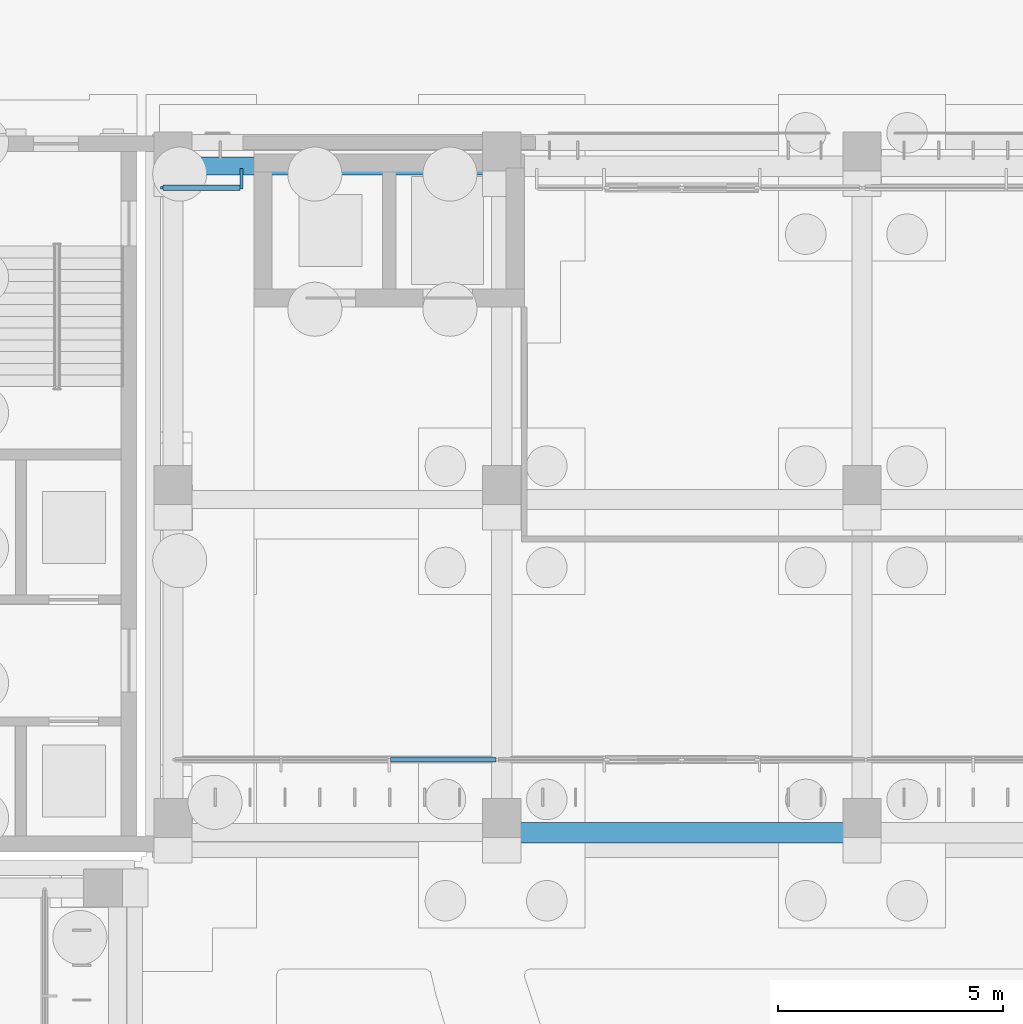
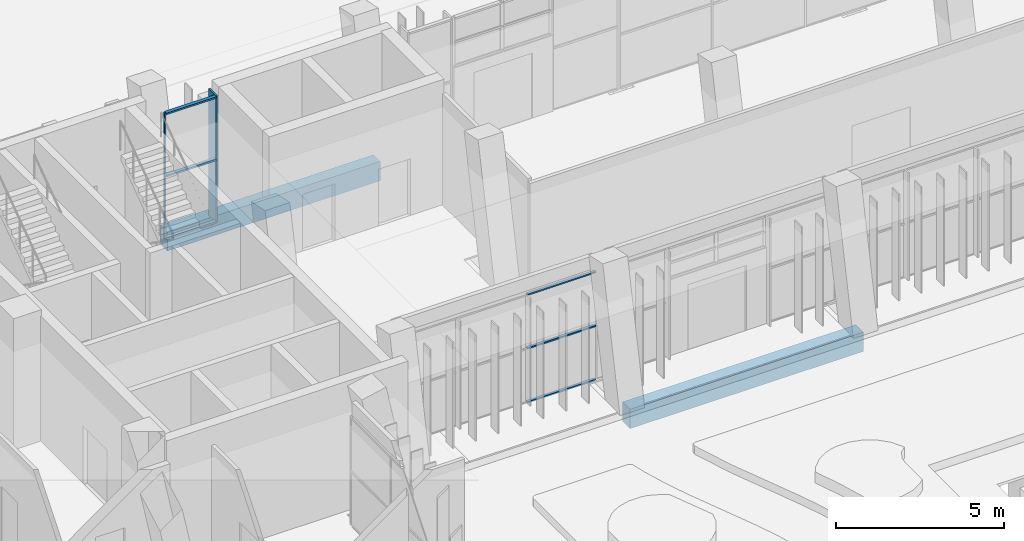
# One storey, part 61 of 144: 8 members, 2 beams, 2 elements without a shape of their own.
"""IFC4 building model written with IfcOpenShell, lengths in metres."""

import ifcopenshell
import ifcopenshell.guid

model = None  # the IFC model being written
_history = None  # IfcOwnerHistory: only IFC2X3 demands one
_inside = {}  # id of a spatial element -> (the spatial element, [elements in it])
_under = {}  # id of a project, library or spatial element -> (it, [spatial elements below it])
_declared = {}  # id of a project -> (the project, [libraries it declares])
_typed = {}  # id of a type object -> (the type object, [elements of that type])
_made_of = {}  # id of a material, layer set ... -> (it, [elements and type objects made of it])


def new_model(schema):
    """Start an empty IFC model of exactly this schema.

    Asked for "IFC4X3", IfcOpenShell would pick the latest addendum, in which some entities
    have other attributes; the version numbers below select the first issue.
    IFC2X3 requires an IfcOwnerHistory on every rooted entity: one is made here for all.
    """
    global model, _history
    if schema == "IFC4X3":
        model = ifcopenshell.file(schema_version=(4, 3, 0, 0))
    else:
        model = ifcopenshell.file(schema=schema)
    _inside.clear()
    _under.clear()
    _declared.clear()
    _typed.clear()
    _made_of.clear()
    _history = None
    if model.schema == "IFC2X3":
        org = make("IfcOrganization", Name="unknown")
        user = make(
            "IfcPersonAndOrganization",
            ThePerson=make("IfcPerson", FamilyName="unknown"),
            TheOrganization=org,
        )
        app = make(
            "IfcApplication",
            ApplicationDeveloper=org,
            Version="unknown",
            ApplicationFullName="unknown",
            ApplicationIdentifier="unknown",
        )
        _history = make(
            "IfcOwnerHistory",
            OwningUser=user,
            OwningApplication=app,
            ChangeAction="ADDED",
            CreationDate=0,
        )
    return model


def make(cls, **values):
    """One entity of the class cls with the attributes given. An attribute that is None is left unset."""
    return model.create_entity(
        cls, **{name: value for name, value in values.items() if value is not None}
    )


def rooted(cls, **values):
    """An entity with a GlobalId (a new one), such as an element, a storey or a relation."""
    return make(cls, GlobalId=ifcopenshell.guid.new(), OwnerHistory=_history, **values)


def si_unit(unit_type, name, prefix=None):
    """IfcSIUnit, for example si_unit("LENGTHUNIT", "METRE", prefix="MILLI")."""
    return make("IfcSIUnit", UnitType=unit_type, Prefix=prefix, Name=name)


def assignment(units):
    """IfcUnitAssignment: the units of a project."""
    return None if units is None else make("IfcUnitAssignment", Units=units)


def point(xyz):
    """IfcCartesianPoint."""
    return None if xyz is None else make("IfcCartesianPoint", Coordinates=xyz)


def direction(xyz):
    """IfcDirection."""
    return None if xyz is None else make("IfcDirection", DirectionRatios=xyz)


def frame(location, z_axis=None, x_axis=None):
    """IfcAxis2Placement3D, a coordinate frame: its origin and axes. An axis left out is left unset."""
    return make(
        "IfcAxis2Placement3D",
        Location=point(location),
        Axis=direction(z_axis),
        RefDirection=direction(x_axis),
    )


def frame_2d(location, x_axis=None):
    """IfcAxis2Placement2D, a coordinate frame in the plane: its origin and x axis."""
    return make(
        "IfcAxis2Placement2D", Location=point(location), RefDirection=direction(x_axis)
    )


def origin():
    """The frame at (0, 0, 0) with its axes left unset."""
    return frame((0.0, 0.0, 0.0))


def origin_2d():
    """The frame at (0, 0) in the plane with its x axis left unset."""
    return frame_2d((0.0, 0.0))


def place(relative_to, where):
    """IfcLocalPlacement: puts the frame where relative to a parent placement (None: the world)."""
    return make(
        "IfcLocalPlacement", PlacementRelTo=relative_to, RelativePlacement=where
    )


def context(
    kind, dimensions, precision=None, world=None, true_north=None, identifier=None
):
    """IfcGeometricRepresentationContext, for example the 3D "Model" context."""
    return make(
        "IfcGeometricRepresentationContext",
        ContextIdentifier=identifier,
        ContextType=kind,
        CoordinateSpaceDimension=dimensions,
        Precision=precision,
        WorldCoordinateSystem=world,
        TrueNorth=true_north,
    )


def subcontext(parent, identifier, kind, view, scale=None):
    """IfcGeometricRepresentationSubContext, for example "Body" below "Model"."""
    return make(
        "IfcGeometricRepresentationSubContext",
        ContextIdentifier=identifier,
        ContextType=kind,
        ParentContext=parent,
        TargetScale=scale,
        TargetView=view,
    )


def project(units=None, contexts=None):
    """IfcProject with its units and contexts."""
    return rooted(
        "IfcProject",
        Name="project",
        RepresentationContexts=contexts,
        UnitsInContext=assignment(units),
    )


def spatial(cls, under=None, at=None, **own):
    """A site, building, storey or space (cls), placed at a placement, below another one or the project."""
    s = rooted(cls, ObjectPlacement=at, **own)
    if under is not None:
        _under.setdefault(under.id(), (under, []))[1].append(s)
    return s


def profile(cls, at=None, kind="AREA", **sizes):
    """A parametric profile (cls). Its sizes go by their IFC names, for example OverallWidth=200.0."""
    return make(cls, ProfileType=kind, Position=at, **sizes)


def rectangle(**sizes):
    """IfcRectangleProfileDef."""
    return profile("IfcRectangleProfileDef", **sizes)


def extrude(swept, where, along, depth):
    """IfcExtrudedAreaSolid: the profile swept, set in the frame where, extruded along a direction by depth."""
    return make(
        "IfcExtrudedAreaSolid",
        SweptArea=swept,
        Position=where,
        ExtrudedDirection=direction(along),
        Depth=depth,
    )


def shape(context_of_items, identifier, shape_type, items):
    """IfcShapeRepresentation: the items that make up one representation, for example the "Body"."""
    return make(
        "IfcShapeRepresentation",
        ContextOfItems=context_of_items,
        RepresentationIdentifier=identifier,
        RepresentationType=shape_type,
        Items=items,
    )


def material(Name=None, Category=None):
    """IfcMaterial."""
    return make("IfcMaterial", Name=Name, Category=Category)


def material_profile(
    of_material, cross_section, Name=None, Category=None, Priority=None
):
    """IfcMaterialProfile: a cross section and its material."""
    return make(
        "IfcMaterialProfile",
        Name=Name,
        Material=of_material,
        Profile=cross_section,
        Priority=Priority,
        Category=Category,
    )


def profile_set(profiles, Name=None, composite=None):
    """IfcMaterialProfileSet."""
    return make(
        "IfcMaterialProfileSet",
        Name=Name,
        MaterialProfiles=profiles,
        CompositeProfile=composite,
    )


def made_of(thing, what):
    """Note that an element or type object is made of a material, layer set ...; save() writes the relation."""
    if what is not None:
        _made_of.setdefault(what.id(), (what, []))[1].append(thing)
    return thing


def type_object(cls, material=None, **own):
    """A type object (cls), such as IfcWallType, which elements share."""
    return made_of(rooted(cls, **own), material)


def element(
    cls,
    number,
    at=None,
    inside=None,
    cuts=None,
    type_object=None,
    material=None,
    context=None,
    identifier="Body",
    shape_type=None,
    held_by="IfcProductDefinitionShape",
    body=None,
    shapes=None,
    **own,
):
    """One element of the class cls, such as IfcWall. Its Tag is "e" and its number.

    at: its placement. inside: the storey or other place that contains it. cuts: it is an
    opening in that element (IfcRelVoidsElement). A single representation is given by context,
    identifier, shape_type and body (its items); several are given by shapes. held_by: the class
    of the entity that holds the representations. save() writes the other relations.
    """
    e = rooted(cls, Tag="e%d" % number, ObjectPlacement=at, **own)
    if body is not None:
        shapes = [shape(context, identifier, shape_type, body)]
    if shapes is not None:
        e.Representation = make(held_by, Representations=shapes)
    if inside is not None:
        _inside.setdefault(inside.id(), (inside, []))[1].append(e)
    if cuts is not None:
        rooted(
            "IfcRelVoidsElement", RelatingBuildingElement=cuts, RelatedOpeningElement=e
        )
    if type_object is not None:
        _typed.setdefault(type_object.id(), (type_object, []))[1].append(e)
    return made_of(e, material)


def aggregate(whole, parts):
    """IfcRelAggregates: a whole, such as a stair, and the parts it consists of."""
    return rooted("IfcRelAggregates", RelatingObject=whole, RelatedObjects=parts)


def save(model, path):
    """Write the relations noted so far, then the file.

    IfcRelAggregates (storeys below a building ...), IfcRelContainedInSpatialStructure (elements
    in a storey), IfcRelDefinesByType, IfcRelAssociatesMaterial and IfcRelDeclares: one each for
    every whole, place, type object, material and project.
    """
    for whole, parts in _under.values():
        aggregate(whole, parts)
    for where, things in _inside.values():
        rooted(
            "IfcRelContainedInSpatialStructure",
            RelatedElements=things,
            RelatingStructure=where,
        )
    for kind, things in _typed.values():
        rooted("IfcRelDefinesByType", RelatedObjects=things, RelatingType=kind)
    for what, things in _made_of.values():
        rooted("IfcRelAssociatesMaterial", RelatedObjects=things, RelatingMaterial=what)
    for by, libraries in _declared.values():
        rooted("IfcRelDeclares", RelatingContext=by, RelatedDefinitions=libraries)
    model.write(path)


model = new_model("IFC4")

# Units and contexts
model_context = context("Model", 3, precision=1e-05, world=origin(), true_north=direction((0.0, 1.0)))
body_context = subcontext(model_context, "Body", "Model", "MODEL_VIEW")
ifc_project = project(units=[si_unit("LENGTHUNIT", "METRE"), si_unit("AREAUNIT", "SQUARE_METRE"), si_unit("VOLUMEUNIT", "CUBIC_METRE"), si_unit("PLANEANGLEUNIT", "RADIAN"), si_unit("MASSUNIT", "GRAM", prefix="KILO")], contexts=[model_context])

# Site, building, storey
site_placement = place(None, origin())
site = spatial("IfcSite", under=ifc_project, at=site_placement, CompositionType="ELEMENT")
building_placement = place(site_placement, origin())
building = spatial("IfcBuilding", under=site, at=building_placement, Name="Lantern Court Media Centre", CompositionType="ELEMENT")
storey_placement = place(building_placement, origin())
storey = spatial("IfcBuildingStorey", under=building, at=storey_placement, Name="L00", CompositionType="ELEMENT", Elevation=0.0)

# Curtain wall, members
ifc_material_1 = material(Name="Curtain wall bay 3000")
curtain_wall_type_1 = type_object("IfcCurtainWallType", Name="Curtain wall bay 3000", PredefinedType="NOTDEFINED", material=ifc_material_1)
curtain_wall_1_placement = place(storey_placement, origin())
curtain_wall_1 = element("IfcCurtainWall", 1, at=curtain_wall_1_placement, inside=storey, type_object=curtain_wall_type_1, Name="Curtain wall N outer L00", PredefinedType="NOTDEFINED")
ifc_material_2 = material(Name="Anodised aluminium", Category="aluminium")
ifc_material_profile_1 = material_profile(ifc_material_2, rectangle(XDim=0.449951171875, YDim=0.06005859375, at=origin_2d()), Name="AL 60x450")
ifc_profile_set_1 = profile_set([ifc_material_profile_1], Name="Anodised aluminium")
member_type_1 = type_object("IfcMemberType", Name="Curtain wall mullion 60x450", PredefinedType="MULLION", material=ifc_profile_set_1)
member_1_placement = place(storey_placement, frame((26.219970703125, 111.044921875, 0.0), z_axis=(0.0, 0.0, 1.0), x_axis=(0.0, 1.0, 0.0)))
member_1 = element("IfcMember", 2, at=member_1_placement, type_object=member_type_1, Name="CW1 mullion 2", PredefinedType="MULLION", context=body_context, shape_type="SweptSolid", body=[
    extrude(rectangle(XDim=0.449951171875, YDim=0.06005859375, at=origin_2d()), origin(), (0.0, 0.0, 1.0), 4.580078125),
])
ifc_material_profile_2 = material_profile(ifc_material_2, rectangle(XDim=0.06005859375, YDim=0.06005859375, at=origin_2d()), Name="AL 60x60")
ifc_profile_set_2 = profile_set([ifc_material_profile_2], Name="Anodised aluminium")
member_type_2 = type_object("IfcMemberType", Name="Curtain wall mullion 60x60", PredefinedType="MULLION", material=ifc_profile_set_2)
member_2_placement = place(storey_placement, frame((24.449951171875, 110.85009765625, 0.0), z_axis=(0.0, 0.0, 1.0), x_axis=(0.0, 1.0, 0.0)))
member_2 = element("IfcMember", 3, at=member_2_placement, type_object=member_type_2, Name="CW1 mullion 1", PredefinedType="MULLION", context=body_context, shape_type="SweptSolid", body=[
    extrude(rectangle(XDim=0.06005859375, YDim=0.06005859375, at=origin_2d()), origin(), (0.0, 0.0, 1.0), 4.580078125),
])

ifc_material_3 = material(Name="Curtain wall bay 2400")
curtain_wall_type_2 = type_object("IfcCurtainWallType", Name="Curtain wall bay 2400", PredefinedType="NOTDEFINED", material=ifc_material_3)
curtain_wall_2_placement = place(storey_placement, origin())
curtain_wall_2 = element("IfcCurtainWall", 4, at=curtain_wall_2_placement, inside=storey, type_object=curtain_wall_type_2, Name="Curtain wall N inner L00", PredefinedType="NOTDEFINED")
ifc_material_profile_3 = material_profile(ifc_material_2, rectangle(XDim=0.10009765625, YDim=0.050048828125, at=origin_2d()), Name="AL 50x100")
ifc_profile_set_3 = profile_set([ifc_material_profile_3], Name="Anodised aluminium")
member_type_3 = type_object("IfcMemberType", Name="Curtain wall transom 100x50", PredefinedType="USERDEFINED", material=ifc_profile_set_3)
member_3_placement = place(storey_placement, frame((29.52490234375, 98.14990234375, 0.02490234375), z_axis=(1.0, 0.0, 0.0), x_axis=(0.0, 1.0, 0.0)))
member_3 = element("IfcMember", 5, at=member_3_placement, type_object=member_type_3, Name="CW2 transom 3.1", ObjectType="TRANSOM", PredefinedType="USERDEFINED", context=body_context, shape_type="SweptSolid", body=[
    extrude(rectangle(XDim=0.10009765625, YDim=0.050048828125, at=origin_2d()), origin(), (0.0, 0.0, 1.0), 2.35009765625),
])
member_4_placement = place(storey_placement, frame((29.52490234375, 98.14990234375, 1.97509765625), z_axis=(1.0, 0.0, 0.0), x_axis=(0.0, 1.0, 0.0)))
member_4 = element("IfcMember", 6, at=member_4_placement, type_object=member_type_3, Name="CW2 transom 3.2", ObjectType="TRANSOM", PredefinedType="USERDEFINED", context=body_context, shape_type="SweptSolid", body=[
    extrude(rectangle(XDim=0.10009765625, YDim=0.050048828125, at=origin_2d()), origin(), (0.0, 0.0, 1.0), 2.35009765625),
])
member_5_placement = place(storey_placement, frame((29.52490234375, 98.14990234375, 3.925048828125), z_axis=(1.0, 0.0, 0.0), x_axis=(0.0, 1.0, 0.0)))
member_5 = element("IfcMember", 7, at=member_5_placement, type_object=member_type_3, Name="CW2 transom 3.3", ObjectType="TRANSOM", PredefinedType="USERDEFINED", context=body_context, shape_type="SweptSolid", body=[
    extrude(rectangle(XDim=0.10009765625, YDim=0.050048828125, at=origin_2d()), origin(), (0.0, 0.0, 1.0), 2.35009765625),
])
aggregate(curtain_wall_2, [member_3, member_4, member_5])

# Member
ifc_material_profile_4 = material_profile(ifc_material_2, rectangle(XDim=0.1201171875, YDim=0.06005859375, at=origin_2d()), Name="AL 60x120")
ifc_profile_set_4 = profile_set([ifc_material_profile_4], Name="Anodised aluminium")
member_type_4 = type_object("IfcMemberType", Name="Curtain wall transom 60x120", PredefinedType="USERDEFINED", material=ifc_profile_set_4)
member_6_placement = place(storey_placement, frame((24.47998046875, 110.85009765625, 0.030029296875), z_axis=(1.0, 0.0, 0.0), x_axis=(0.0, 1.0, 0.0)))
member_6 = element("IfcMember", 8, at=member_6_placement, type_object=member_type_4, Name="CW1 transom 1.1", ObjectType="TRANSOM", PredefinedType="USERDEFINED", context=body_context, shape_type="SweptSolid", body=[
    extrude(rectangle(XDim=0.1201171875, YDim=0.06005859375, at=origin_2d()), origin(), (0.0, 0.0, 1.0), 1.7099609375),
])

member_7_placement = place(storey_placement, frame((24.47998046875, 110.85009765625, 2.2900390625), z_axis=(1.0, 0.0, 0.0), x_axis=(0.0, 1.0, 0.0)))
member_7 = element("IfcMember", 9, at=member_7_placement, type_object=member_type_4, Name="CW1 transom 1.2", ObjectType="TRANSOM", PredefinedType="USERDEFINED", context=body_context, shape_type="SweptSolid", body=[
    extrude(rectangle(XDim=0.1201171875, YDim=0.06005859375, at=origin_2d()), origin(), (0.0, 0.0, 1.0), 1.7099609375),
])

member_8_placement = place(storey_placement, frame((24.47998046875, 110.85009765625, 4.550048828125), z_axis=(1.0, 0.0, 0.0), x_axis=(0.0, 1.0, 0.0)))
member_8 = element("IfcMember", 10, at=member_8_placement, type_object=member_type_4, Name="CW1 transom 1.3", ObjectType="TRANSOM", PredefinedType="USERDEFINED", context=body_context, shape_type="SweptSolid", body=[
    extrude(rectangle(XDim=0.1201171875, YDim=0.06005859375, at=origin_2d()), origin(), (0.0, 0.0, 1.0), 1.7099609375),
])

aggregate(curtain_wall_1, [member_2, member_1, member_6, member_7, member_8])

# Beams
ifc_material_4 = material(Name="Concrete C35", Category="concrete")
ifc_material_profile_5 = material_profile(ifc_material_4, rectangle(XDim=0.39990234375, YDim=0.699951171875, at=origin_2d()), Name="RC 400x700")
ifc_profile_set_5 = profile_set([ifc_material_profile_5], Name="Concrete C35")
beam_type_1 = type_object("IfcBeamType", Name="RC BEAM 400x700", PredefinedType="BEAM", material=ifc_profile_set_5)
beam_1_placement = place(storey_placement, frame((24.699951171875, 111.3271484375, -0.35009765625), z_axis=(1.0, 0.0, 0.0), x_axis=(0.0, 1.0, 0.0)))
element("IfcBeam", 11, at=beam_1_placement, inside=storey, type_object=beam_type_1, Name="LB-N-L00-2-0", PredefinedType="BEAM", context=body_context, shape_type="SweptSolid", body=[
    extrude(rectangle(XDim=0.39990234375, YDim=0.699951171875, at=origin_2d()), origin(), (0.0, 0.0, 1.0), 7.300048828125),
])
ifc_material_profile_6 = material_profile(ifc_material_4, rectangle(XDim=0.449951171875, YDim=0.699951171875, at=origin_2d()), Name="RC 450x700")
ifc_profile_set_6 = profile_set([ifc_material_profile_6], Name="Concrete C35")
beam_type_2 = type_object("IfcBeamType", Name="RC BEAM 450x700", PredefinedType="BEAM", material=ifc_profile_set_6)
beam_2_placement = place(storey_placement, frame((32.0, 96.527099609375, -0.35009765625), z_axis=(1.0, 0.0, 0.0), x_axis=(0.0, 1.0, 0.0)))
element("IfcBeam", 12, at=beam_2_placement, inside=storey, type_object=beam_type_2, Name="LB-N-L00-0-1", PredefinedType="BEAM", context=body_context, shape_type="SweptSolid", body=[
    extrude(rectangle(XDim=0.449951171875, YDim=0.699951171875, at=origin_2d()), origin(), (0.0, 0.0, 1.0), 8.0),
])

save(model, "model.ifc")
